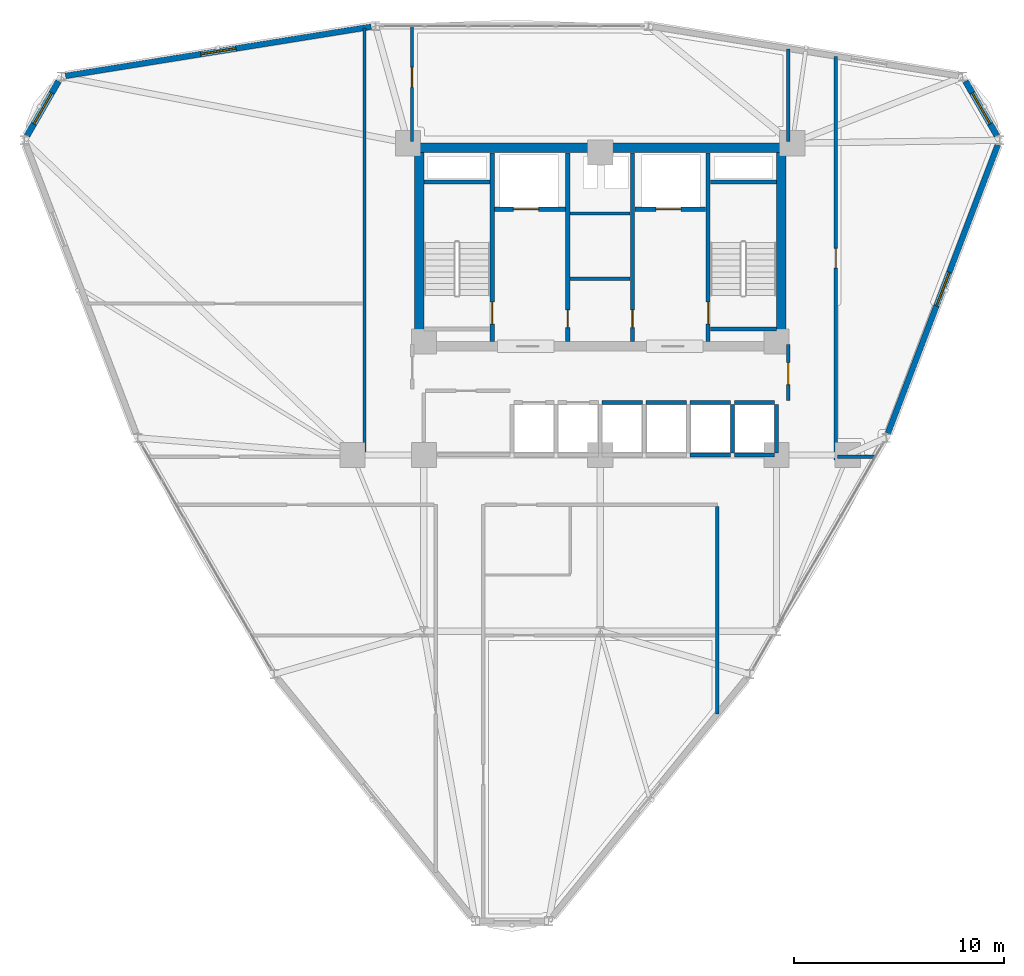
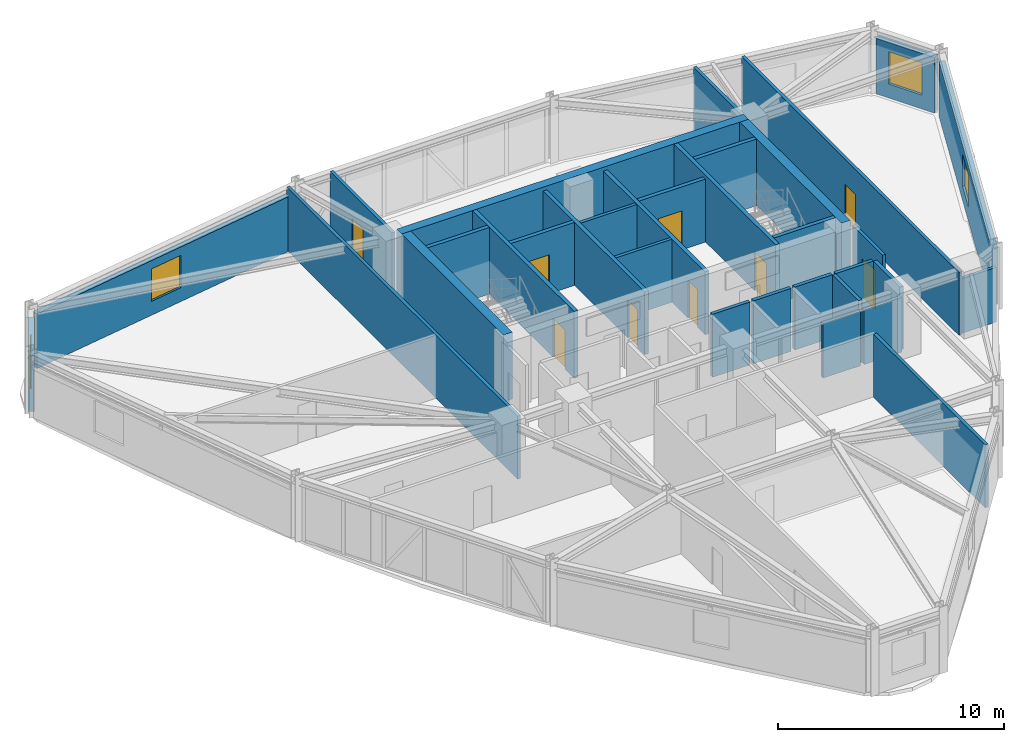
# One storey, part 11 of 15: 33 walls, 9 doors, 4 windows, 13 openings.
"""IFC4 building model written with IfcOpenShell, lengths in metres."""

from ifc_helpers import new_model, si_unit, derived_unit, direction, frame, frame_2d, origin, place, context, subcontext, project, spatial, rectangle, extrude, material, layer, layer_set, type_object, element, fill, save


model = new_model("IFC4")

# Units and contexts
model_context = context("Model", 3, precision=1e-05, world=origin(), true_north=direction((0.0, 1.0)))
body_context = subcontext(model_context, "Body", "Model", "MODEL_VIEW")
ifc_project = project(units=[si_unit("LENGTHUNIT", "METRE"), si_unit("AREAUNIT", "SQUARE_METRE"), si_unit("VOLUMEUNIT", "CUBIC_METRE"), si_unit("PLANEANGLEUNIT", "RADIAN"), si_unit("MASSUNIT", "GRAM", prefix="KILO"), derived_unit("THERMALTRANSMITTANCEUNIT", [(si_unit("POWERUNIT", "WATT"), 1), (si_unit("LENGTHUNIT", "METRE"), -2), (si_unit("THERMODYNAMICTEMPERATUREUNIT", "KELVIN"), -1)])], contexts=[model_context])

# Site, building, storey
site_placement = place(None, origin())
site = spatial("IfcSite", under=ifc_project, at=site_placement, CompositionType="ELEMENT")
building_placement = place(site_placement, origin())
building = spatial("IfcBuilding", under=site, at=building_placement, Name="Korsvarv Bourse and Concert Hall", CompositionType="ELEMENT")
storey_placement = place(building_placement, frame((0.0, 0.0, 150.60009765625)))
storey = spatial("IfcBuildingStorey", under=building, at=storey_placement, Name="L38", CompositionType="ELEMENT", Elevation=150.60009765625)

# Wall, opening, door
ifc_material_1 = material(Name="Concrete C50/60", Category="concrete")
ifc_layer_1 = layer(ifc_material_1, 0.3798828125)
ifc_layer_set_1 = layer_set([ifc_layer_1], Name="Concrete C50/60")
wall_type_1 = type_object("IfcWallType", Name="WL-CORE-380", PredefinedType="SHEAR", material=ifc_layer_set_1)
wall_1_placement = place(storey_placement, frame((30.860107421875, 37.81005859375, 0.0), z_axis=(0.0, 0.0, 1.0), x_axis=(0.0, 1.0, 0.0)))
wall_1 = element("IfcWall", 1, at=wall_1_placement, inside=storey, type_object=wall_type_1, Name="L38 stair shaft structural wall W-L38-ST1-E", PredefinedType="SHEAR", context=body_context, shape_type="SweptSolid", body=[
    extrude(rectangle(XDim=8.97998046875, YDim=0.199951171875, at=frame_2d((4.489990234375, 0.0))), origin(), (0.0, 0.0, 1.0), 3.599853515625),
])
opening_1_placement = place(wall_1_placement, frame((0.820068359375, 0.0, 0.0)))
opening_1 = element("IfcOpeningElement", 2, at=opening_1_placement, cuts=wall_1, Name="Opening D-01", PredefinedType="OPENING", context=body_context, shape_type="SweptSolid", body=[
    extrude(rectangle(XDim=1.050048828125, YDim=2.10009765625, at=frame_2d((0.52490234375, 1.050048828125))), frame((0.0, 0.10986328125, 0.0), z_axis=(0.0, -1.0, 0.0), x_axis=(1.0, 0.0, 0.0)), (0.0, 0.0, 1.0), 0.219970703125),
])
ifc_material_2 = material(Name="Steel S355 fire door", Category="steel")
door_type_1 = type_object("IfcDoorType", Name="DR-FD60", OperationType="NOTDEFINED", PredefinedType="DOOR", material=ifc_material_2)
door_1_placement = place(opening_1_placement, origin())
door_1 = element("IfcDoor", 3, at=door_1_placement, inside=storey, type_object=door_type_1, Name="L38 interior door DR-L38-ST1", OperationType="SINGLE_SWING_LEFT", OverallHeight=2.10009765625, OverallWidth=1.050048828125, PredefinedType="DOOR", context=body_context, shape_type="SweptSolid", body=[
    extrude(rectangle(XDim=1.050048828125, YDim=2.10009765625, at=frame_2d((0.52490234375, 1.050048828125))), frame((0.0, 0.02490234375, 0.0), z_axis=(0.0, -1.0, 0.0), x_axis=(1.0, 0.0, 0.0)), (0.0, 0.0, 1.0), 0.050048828125),
])
fill(opening_1, door_1)

# Wall
wall_2_placement = place(storey_placement, frame((27.610107421875, 45.39990234375, 0.0), z_axis=(0.0, 0.0, 1.0), x_axis=(1.0, 0.0, 0.0)))
element("IfcWall", 4, at=wall_2_placement, inside=storey, type_object=wall_type_1, Name="L38 stair shaft structural wall W-L38-ST1-N", PredefinedType="SHEAR", context=body_context, shape_type="SweptSolid", body=[
    extrude(rectangle(XDim=3.139892578125, YDim=0.199951171875, at=frame_2d((1.56982421875, 0.0))), origin(), (0.0, 0.0, 1.0), 3.599853515625),
])

# Wall, opening, door
wall_3_placement = place(storey_placement, frame((41.139892578125, 37.81005859375, 0.0), z_axis=(0.0, 0.0, 1.0), x_axis=(0.0, 1.0, 0.0)))
wall_3 = element("IfcWall", 5, at=wall_3_placement, inside=storey, type_object=wall_type_1, Name="L38 stair shaft structural wall W-L38-ST2-W", PredefinedType="SHEAR", context=body_context, shape_type="SweptSolid", body=[
    extrude(rectangle(XDim=8.97998046875, YDim=0.199951171875, at=frame_2d((4.489990234375, 0.0))), origin(), (0.0, 0.0, 1.0), 3.599853515625),
])
opening_2_placement = place(wall_3_placement, frame((0.820068359375, 0.0, 0.0)))
opening_2 = element("IfcOpeningElement", 6, at=opening_2_placement, cuts=wall_3, Name="Opening D-01", PredefinedType="OPENING", context=body_context, shape_type="SweptSolid", body=[
    extrude(rectangle(XDim=1.050048828125, YDim=2.10009765625, at=frame_2d((0.52490234375, 1.050048828125))), frame((0.0, 0.10986328125, 0.0), z_axis=(0.0, -1.0, 0.0), x_axis=(1.0, 0.0, 0.0)), (0.0, 0.0, 1.0), 0.219970703125),
])
door_2_placement = place(opening_2_placement, frame((1.050048828125, 0.0, 0.0), z_axis=(0.0, 0.0, 1.0), x_axis=(-1.0, 0.0, 0.0)))
door_2 = element("IfcDoor", 7, at=door_2_placement, inside=storey, type_object=door_type_1, Name="L38 interior door DR-L38-ST2", OperationType="SINGLE_SWING_RIGHT", OverallHeight=2.10009765625, OverallWidth=1.050048828125, PredefinedType="DOOR", context=body_context, shape_type="SweptSolid", body=[
    extrude(rectangle(XDim=1.050048828125, YDim=2.10009765625, at=frame_2d((0.52490234375, 1.050048828125))), frame((0.0, 0.02490234375, 0.0), z_axis=(0.0, -1.0, 0.0), x_axis=(1.0, 0.0, 0.0)), (0.0, 0.0, 1.0), 0.050048828125),
])
fill(opening_2, door_2)

# Walls
for number, where, z_axis, x_axis, name in (
    (8, (41.25, 45.39990234375, 0.0), (0.0, 0.0, 1.0), (1.0, 0.0, 0.0), "L38 stair shaft structural wall W-L38-ST2-N"),
    (9, (41.25, 38.39990234375, 0.0), (0.0, 0.0, 1.0), (1.0, 0.0, 0.0), "L38 stair shaft structural wall W-L38-ST2-S"),
):
    element("IfcWall", number, at=place(storey_placement, frame(where, z_axis=z_axis, x_axis=x_axis)), inside=storey, type_object=wall_type_1, Name=name, PredefinedType="SHEAR", context=body_context, shape_type="SweptSolid", body=[
        extrude(rectangle(XDim=3.139892578125, YDim=0.199951171875, at=frame_2d((1.56982421875, 0.0))), origin(), (0.0, 0.0, 1.0), 3.599853515625),
    ])
ifc_material_3 = material(Name="Concrete C55/67", Category="concrete")
ifc_layer_2 = layer(ifc_material_3, 0.449951171875)
ifc_layer_set_2 = layer_set([ifc_layer_2], Name="Concrete C55/67")
wall_type_2 = type_object("IfcWallType", Name="WL-CORE-450", PredefinedType="SHEAR", material=ifc_layer_set_2)
wall_4_placement = place(storey_placement, frame((27.14990234375, 47.02490234375, 0.0), z_axis=(0.0, 0.0, 1.0), x_axis=(1.0, 0.0, 0.0)))
element("IfcWall", 10, at=wall_4_placement, inside=storey, type_object=wall_type_2, Name="L38 North Core Shear Wall", PredefinedType="SHEAR", context=body_context, shape_type="SweptSolid", body=[
    extrude(rectangle(XDim=17.7001953125, YDim=0.449951171875, at=frame_2d((8.85009765625, 0.0))), origin(), (0.0, 0.0, 1.0), 3.599853515625),
])
for number, where, z_axis, x_axis, name in (
    (11, (27.375, 37.800048828125, 0.0), (0.0, 0.0, 1.0), (0.0, 1.0, 0.0), "L38 West Core Shear Wall"),
    (12, (44.625, 37.800048828125, 0.0), (0.0, 0.0, 1.0), (0.0, 1.0, 0.0), "L38 East Core Shear Wall"),
):
    element("IfcWall", number, at=place(storey_placement, frame(where, z_axis=z_axis, x_axis=x_axis)), inside=storey, type_object=wall_type_2, Name=name, PredefinedType="SHEAR", context=body_context, shape_type="SweptSolid", body=[
        extrude(rectangle(XDim=9.0, YDim=0.449951171875, at=frame_2d((4.5, 0.0))), origin(), (0.0, 0.0, 1.0), 3.599853515625),
    ])

# Wall, opening, window
ifc_material_4 = material(Name="Precast concrete C45/55 with terracotta rainscreen", Category="concrete")
ifc_layer_3 = layer(ifc_material_4, 0.300048828125)
ifc_layer_set_3 = layer_set([ifc_layer_3], Name="Precast concrete C45/55 with terracotta rainscreen")
wall_type_3 = type_object("IfcWallType", Name="WL-EXT-TC1", PredefinedType="SOLIDWALL", material=ifc_layer_set_3)
wall_5_placement = place(storey_placement, frame((54.905517578125, 47.612548828125, 0.0), z_axis=(0.0, 0.0, 1.0), x_axis=(-0.499974392705, 0.866040187658, 0.0)))
wall_5 = element("IfcWall", 13, at=wall_5_placement, inside=storey, type_object=wall_type_3, Name="L38 terracotta exterior wall EW-L38-B01", PredefinedType="SOLIDWALL", context=body_context, shape_type="SweptSolid", body=[
    extrude(rectangle(XDim=2.991943359375, YDim=0.300048828125, at=frame_2d((1.49609375, 0.0))), origin(), (0.0, 0.0, 1.0), 3.0),
])
opening_3_placement = place(wall_5_placement, frame((0.64599609375, 0.0, 0.75)))
opening_3 = element("IfcOpeningElement", 14, at=opening_3_placement, cuts=wall_5, Name="Opening W-01", PredefinedType="OPENING", context=body_context, shape_type="SweptSolid", body=[
    extrude(rectangle(XDim=1.699951171875, YDim=1.75, at=frame_2d((0.85009765625, 0.875))), frame((0.0, 0.16015625, 0.0), z_axis=(0.0, -1.0, 0.0), x_axis=(1.0, 0.0, 0.0)), (0.0, 0.0, 1.0), 0.320068359375),
])
ifc_material_5 = material(Name="Thermally broken aluminium frame with triple low-E glass", Category="glass")
window_type = type_object("IfcWindowType", Name="WIN-TW1", PartitioningType="SINGLE_PANEL", PredefinedType="WINDOW", material=ifc_material_5)
window_1_placement = place(opening_3_placement, origin())
window_1 = element("IfcWindow", 15, at=window_1_placement, inside=storey, type_object=window_type, Name="L38 punched facade window W-01", OverallHeight=1.75, OverallWidth=1.699951171875, PartitioningType="SINGLE_PANEL", PredefinedType="WINDOW", context=body_context, shape_type="SweptSolid", body=[
    extrude(rectangle(XDim=1.699951171875, YDim=1.75, at=frame_2d((0.85009765625, 0.875))), frame((0.0, 0.030029296875, 0.0), z_axis=(0.0, -1.0, 0.0), x_axis=(1.0, 0.0, 0.0)), (0.0, 0.0, 1.0), 0.06005859375),
])
fill(opening_3, window_1)

wall_6_placement = place(storey_placement, frame((10.1904296875, 50.20361328125, 0.0), z_axis=(0.0, 0.0, 1.0), x_axis=(-0.499974392705, -0.866040187658, 0.0)))
wall_6 = element("IfcWall", 16, at=wall_6_placement, inside=storey, type_object=wall_type_3, Name="L38 terracotta exterior wall EW-L38-B05", PredefinedType="SOLIDWALL", context=body_context, shape_type="SweptSolid", body=[
    extrude(rectangle(XDim=2.991943359375, YDim=0.300048828125, at=frame_2d((1.49609375, 0.0))), origin(), (0.0, 0.0, 1.0), 3.0),
])
opening_4_placement = place(wall_6_placement, frame((0.64599609375, 0.0, 0.75)))
opening_4 = element("IfcOpeningElement", 17, at=opening_4_placement, cuts=wall_6, Name="Opening W-01", PredefinedType="OPENING", context=body_context, shape_type="SweptSolid", body=[
    extrude(rectangle(XDim=1.699951171875, YDim=1.75, at=frame_2d((0.85009765625, 0.875))), frame((0.0, 0.16015625, 0.0), z_axis=(0.0, -1.0, 0.0), x_axis=(1.0, 0.0, 0.0)), (0.0, 0.0, 1.0), 0.320068359375),
])
window_2_placement = place(opening_4_placement, origin())
window_2 = element("IfcWindow", 18, at=window_2_placement, inside=storey, type_object=window_type, Name="L38 punched facade window W-01", OverallHeight=1.75, OverallWidth=1.699951171875, PartitioningType="SINGLE_PANEL", PredefinedType="WINDOW", context=body_context, shape_type="SweptSolid", body=[
    extrude(rectangle(XDim=1.699951171875, YDim=1.75, at=frame_2d((0.85009765625, 0.875))), frame((0.0, 0.030029296875, 0.0), z_axis=(0.0, -1.0, 0.0), x_axis=(1.0, 0.0, 0.0)), (0.0, 0.0, 1.0), 0.06005859375),
])
fill(opening_4, window_2)

ifc_material_6 = material(Name="Precast concrete C45/55 with fluted terracotta pier", Category="concrete")
ifc_layer_4 = layer(ifc_material_6, 0.280029296875)
ifc_layer_set_4 = layer_set([ifc_layer_4], Name="Precast concrete C45/55 with fluted terracotta pier")
wall_type_4 = type_object("IfcWallType", Name="WL-EXT-TC2", PredefinedType="SOLIDWALL", material=ifc_layer_set_4)
wall_7_placement = place(storey_placement, frame((25.088134765625, 52.802490234375, 0.0), z_axis=(0.0, 0.0, 1.0), x_axis=(-0.987303259595, -0.158846698404, 0.0)))
wall_7 = element("IfcWall", 19, at=wall_7_placement, inside=storey, type_object=wall_type_4, Name="L38 terracotta exterior wall EW-L38-B04", PredefinedType="SOLIDWALL", context=body_context, shape_type="SweptSolid", body=[
    extrude(rectangle(XDim=14.74560546875, YDim=0.280029296875, at=frame_2d((7.372802734375, 0.0))), origin(), (0.0, 0.0, 1.0), 2.949951171875),
])
opening_5_placement = place(wall_7_placement, frame((6.522705078125, 0.0, 0.75)))
opening_5 = element("IfcOpeningElement", 20, at=opening_5_placement, cuts=wall_7, Name="Opening W-01", PredefinedType="OPENING", context=body_context, shape_type="SweptSolid", body=[
    extrude(rectangle(XDim=1.699951171875, YDim=1.75, at=frame_2d((0.85009765625, 0.875))), frame((0.0, 0.14990234375, 0.0), z_axis=(0.0, -1.0, 0.0), x_axis=(1.0, 0.0, 0.0)), (0.0, 0.0, 1.0), 0.300048828125),
])
window_3_placement = place(opening_5_placement, origin())
window_3 = element("IfcWindow", 21, at=window_3_placement, inside=storey, type_object=window_type, Name="L38 punched facade window W-01", OverallHeight=1.75, OverallWidth=1.699951171875, PartitioningType="SINGLE_PANEL", PredefinedType="WINDOW", context=body_context, shape_type="SweptSolid", body=[
    extrude(rectangle(XDim=1.699951171875, YDim=1.75, at=frame_2d((0.85009765625, 0.875))), frame((0.0, 0.030029296875, 0.0), z_axis=(0.0, -1.0, 0.0), x_axis=(1.0, 0.0, 0.0)), (0.0, 0.0, 1.0), 0.06005859375),
])
fill(opening_5, window_3)

wall_8_placement = place(storey_placement, frame((49.716064453125, 33.43408203125, 0.0), z_axis=(0.0, 0.0, 1.0), x_axis=(0.356077530784, 0.934456415287, 0.0)))
wall_8 = element("IfcWall", 22, at=wall_8_placement, inside=storey, type_object=wall_type_4, Name="L38 terracotta exterior wall EW-L38-B12", PredefinedType="SOLIDWALL", context=body_context, shape_type="SweptSolid", body=[
    extrude(rectangle(XDim=14.69677734375, YDim=0.280029296875, at=frame_2d((7.348388671875, 0.0))), origin(), (0.0, 0.0, 1.0), 3.0),
])
opening_6_placement = place(wall_8_placement, frame((6.498291015625, 0.0, 0.75)))
opening_6 = element("IfcOpeningElement", 23, at=opening_6_placement, cuts=wall_8, Name="Opening W-01", PredefinedType="OPENING", context=body_context, shape_type="SweptSolid", body=[
    extrude(rectangle(XDim=1.699951171875, YDim=1.75, at=frame_2d((0.85009765625, 0.875))), frame((0.0, 0.14990234375, 0.0), z_axis=(0.0, -1.0, 0.0), x_axis=(1.0, 0.0, 0.0)), (0.0, 0.0, 1.0), 0.300048828125),
])
window_4_placement = place(opening_6_placement, origin())
window_4 = element("IfcWindow", 24, at=window_4_placement, inside=storey, type_object=window_type, Name="L38 punched facade window W-01", OverallHeight=1.75, OverallWidth=1.699951171875, PartitioningType="SINGLE_PANEL", PredefinedType="WINDOW", context=body_context, shape_type="SweptSolid", body=[
    extrude(rectangle(XDim=1.699951171875, YDim=1.75, at=frame_2d((0.85009765625, 0.875))), frame((0.0, 0.030029296875, 0.0), z_axis=(0.0, -1.0, 0.0), x_axis=(1.0, 0.0, 0.0)), (0.0, 0.0, 1.0), 0.06005859375),
])
fill(opening_6, window_4)

# Wall, opening, door
ifc_material_7 = material(Name="Reinforced concrete blockwork C35/45 fire wall", Category="concrete")
ifc_layer_5 = layer(ifc_material_7, 0.199951171875)
ifc_layer_set_5 = layer_set([ifc_layer_5], Name="Reinforced concrete blockwork C35/45 fire wall")
wall_type_5 = type_object("IfcWallType", Name="WL-INT-EI120", PredefinedType="PARTITIONING", material=ifc_layer_set_5)
wall_9_placement = place(storey_placement, frame((30.969970703125, 44.10009765625, 0.0), z_axis=(0.0, 0.0, 1.0), x_axis=(1.0, 0.0, 0.0)))
wall_9 = element("IfcWall", 25, at=wall_9_placement, inside=storey, type_object=wall_type_5, Name="L38 interior partition wall W-L38-FF1-S", PredefinedType="PARTITIONING", context=body_context, shape_type="SweptSolid", body=[
    extrude(rectangle(XDim=3.380126953125, YDim=0.199951171875, at=frame_2d((1.68994140625, 0.0))), origin(), (0.0, 0.0, 1.0), 3.39990234375),
])
opening_7_placement = place(wall_9_placement, frame((0.89990234375, 0.0, 0.0)))
opening_7 = element("IfcOpeningElement", 26, at=opening_7_placement, cuts=wall_9, Name="Opening LD-1", PredefinedType="OPENING", context=body_context, shape_type="SweptSolid", body=[
    extrude(rectangle(XDim=1.199951171875, YDim=2.10009765625, at=frame_2d((0.60009765625, 1.050048828125))), frame((0.0, 0.10986328125, 0.0), z_axis=(0.0, -1.0, 0.0), x_axis=(1.0, 0.0, 0.0)), (0.0, 0.0, 1.0), 0.219970703125),
])
ifc_material_8 = material(Name="Stainless Steel S355 firefighting lift landing door", Category="steel")
door_type_2 = type_object("IfcDoorType", Name="DR-LIFT-FF", OperationType="DOUBLE_DOOR_SLIDING", PredefinedType="DOOR", material=ifc_material_8)
door_3_placement = place(opening_7_placement, origin())
door_3 = element("IfcDoor", 27, at=door_3_placement, inside=storey, type_object=door_type_2, Name="L38 lift sliding landing door LD-L38-FF1", OperationType="DOUBLE_DOOR_SLIDING", OverallHeight=2.10009765625, OverallWidth=1.199951171875, PredefinedType="DOOR", context=body_context, shape_type="SweptSolid", body=[
    extrude(rectangle(XDim=1.199951171875, YDim=2.10009765625, at=frame_2d((0.60009765625, 1.050048828125))), frame((0.0, 0.02490234375, 0.0), z_axis=(0.0, -1.0, 0.0), x_axis=(1.0, 0.0, 0.0)), (0.0, 0.0, 1.0), 0.050048828125),
])
fill(opening_7, door_3)

wall_10_placement = place(storey_placement, frame((37.64990234375, 44.10009765625, 0.0), z_axis=(0.0, 0.0, 1.0), x_axis=(1.0, 0.0, 0.0)))
wall_10 = element("IfcWall", 28, at=wall_10_placement, inside=storey, type_object=wall_type_5, Name="L38 interior partition wall W-L38-FF2-S", PredefinedType="PARTITIONING", context=body_context, shape_type="SweptSolid", body=[
    extrude(rectangle(XDim=3.380126953125, YDim=0.199951171875, at=frame_2d((1.68994140625, 0.0))), origin(), (0.0, 0.0, 1.0), 3.39990234375),
])
opening_8_placement = place(wall_10_placement, frame((1.0, 0.0, 0.0)))
opening_8 = element("IfcOpeningElement", 29, at=opening_8_placement, cuts=wall_10, Name="Opening LD-1", PredefinedType="OPENING", context=body_context, shape_type="SweptSolid", body=[
    extrude(rectangle(XDim=1.199951171875, YDim=2.10009765625, at=frame_2d((0.60009765625, 1.050048828125))), frame((0.0, 0.10986328125, 0.0), z_axis=(0.0, -1.0, 0.0), x_axis=(1.0, 0.0, 0.0)), (0.0, 0.0, 1.0), 0.219970703125),
])
door_4_placement = place(opening_8_placement, origin())
door_4 = element("IfcDoor", 30, at=door_4_placement, inside=storey, type_object=door_type_2, Name="L38 lift sliding landing door LD-L38-FF2", OperationType="DOUBLE_DOOR_SLIDING", OverallHeight=2.10009765625, OverallWidth=1.199951171875, PredefinedType="DOOR", context=body_context, shape_type="SweptSolid", body=[
    extrude(rectangle(XDim=1.199951171875, YDim=2.10009765625, at=frame_2d((0.60009765625, 1.050048828125))), frame((0.0, 0.02490234375, 0.0), z_axis=(0.0, -1.0, 0.0), x_axis=(1.0, 0.0, 0.0)), (0.0, 0.0, 1.0), 0.050048828125),
])
fill(opening_8, door_4)

wall_11_placement = place(storey_placement, frame((34.4599609375, 37.81005859375, 0.0), z_axis=(0.0, 0.0, 1.0), x_axis=(0.0, 1.0, 0.0)))
wall_11 = element("IfcWall", 31, at=wall_11_placement, inside=storey, type_object=wall_type_5, Name="L38 interior partition wall W-L38-CSB-W", PredefinedType="PARTITIONING", context=body_context, shape_type="SweptSolid", body=[
    extrude(rectangle(XDim=8.97998046875, YDim=0.199951171875, at=frame_2d((4.489990234375, 0.0))), origin(), (0.0, 0.0, 1.0), 3.39990234375),
])
opening_9_placement = place(wall_11_placement, frame((0.64990234375, 0.0, 0.0)))
opening_9 = element("IfcOpeningElement", 32, at=opening_9_placement, cuts=wall_11, Name="Opening D-05", PredefinedType="OPENING", context=body_context, shape_type="SweptSolid", body=[
    extrude(rectangle(XDim=0.85009765625, YDim=2.050048828125, at=frame_2d((0.425048828125, 1.02490234375))), frame((0.0, 0.10986328125, 0.0), z_axis=(0.0, -1.0, 0.0), x_axis=(1.0, 0.0, 0.0)), (0.0, 0.0, 1.0), 0.219970703125),
])
door_type_3 = type_object("IfcDoorType", Name="DR-FD60-850X2050", OperationType="NOTDEFINED", PredefinedType="DOOR", material=ifc_material_2)
door_5_placement = place(opening_9_placement, frame((0.85009765625, 0.0, 0.0), z_axis=(0.0, 0.0, 1.0), x_axis=(-1.0, 0.0, 0.0)))
door_5 = element("IfcDoor", 33, at=door_5_placement, inside=storey, type_object=door_type_3, Name="L38 interior door DR-L38-CSB1", OperationType="SINGLE_SWING_LEFT", OverallHeight=2.050048828125, OverallWidth=0.85009765625, PredefinedType="DOOR", context=body_context, shape_type="SweptSolid", body=[
    extrude(rectangle(XDim=0.85009765625, YDim=2.050048828125, at=frame_2d((0.425048828125, 1.02490234375))), frame((0.0, 0.02490234375, 0.0), z_axis=(0.0, -1.0, 0.0), x_axis=(1.0, 0.0, 0.0)), (0.0, 0.0, 1.0), 0.050048828125),
])
fill(opening_9, door_5)

wall_12_placement = place(storey_placement, frame((37.5400390625, 37.81005859375, 0.0), z_axis=(0.0, 0.0, 1.0), x_axis=(0.0, 1.0, 0.0)))
wall_12 = element("IfcWall", 34, at=wall_12_placement, inside=storey, type_object=wall_type_5, Name="L38 interior partition wall W-L38-CSB-E", PredefinedType="PARTITIONING", context=body_context, shape_type="SweptSolid", body=[
    extrude(rectangle(XDim=8.97998046875, YDim=0.199951171875, at=frame_2d((4.489990234375, 0.0))), origin(), (0.0, 0.0, 1.0), 3.39990234375),
])
opening_10_placement = place(wall_12_placement, frame((0.64990234375, 0.0, 0.0)))
opening_10 = element("IfcOpeningElement", 35, at=opening_10_placement, cuts=wall_12, Name="Opening D-05", PredefinedType="OPENING", context=body_context, shape_type="SweptSolid", body=[
    extrude(rectangle(XDim=0.85009765625, YDim=2.050048828125, at=frame_2d((0.425048828125, 1.02490234375))), frame((0.0, 0.10986328125, 0.0), z_axis=(0.0, -1.0, 0.0), x_axis=(1.0, 0.0, 0.0)), (0.0, 0.0, 1.0), 0.219970703125),
])
door_6_placement = place(opening_10_placement, origin())
door_6 = element("IfcDoor", 36, at=door_6_placement, inside=storey, type_object=door_type_3, Name="L38 interior door DR-L38-CSB2", OperationType="SINGLE_SWING_RIGHT", OverallHeight=2.050048828125, OverallWidth=0.85009765625, PredefinedType="DOOR", context=body_context, shape_type="SweptSolid", body=[
    extrude(rectangle(XDim=0.85009765625, YDim=2.050048828125, at=frame_2d((0.425048828125, 1.02490234375))), frame((0.0, 0.02490234375, 0.0), z_axis=(0.0, -1.0, 0.0), x_axis=(1.0, 0.0, 0.0)), (0.0, 0.0, 1.0), 0.050048828125),
])
fill(opening_10, door_6)

# Walls
ifc_material_9 = material(Name="Double-stud fire-rated acoustic partition", Category="gypsum")
ifc_layer_6 = layer(ifc_material_9, 0.159912109375)
ifc_layer_set_6 = layer_set([ifc_layer_6], Name="Double-stud fire-rated acoustic partition")
wall_type_6 = type_object("IfcWallType", Name="WL-INT-EI60", PredefinedType="PARTITIONING", material=ifc_layer_set_6)
for number, where, z_axis, x_axis, name in (
    (37, (34.570068359375, 40.800048828125, 0.0), (0.0, 0.0, 1.0), (1.0, 0.0, 0.0), "L38 interior partition wall W-L38-K1"),
    (38, (34.570068359375, 43.89990234375, 0.0), (0.0, 0.0, 1.0), (1.0, 0.0, 0.0), "L38 interior partition wall W-L38-K2"),
):
    element("IfcWall", number, at=place(storey_placement, frame(where, z_axis=z_axis, x_axis=x_axis)), inside=storey, type_object=wall_type_6, Name=name, PredefinedType="PARTITIONING", context=body_context, shape_type="SweptSolid", body=[
        extrude(rectangle(XDim=2.85986328125, YDim=0.159912109375, at=frame_2d((1.429931640625, 0.0))), origin(), (0.0, 0.0, 1.0), 3.39990234375),
    ])

# Wall, opening, door
wall_13_placement = place(storey_placement, frame((44.9599609375, 35.0, 0.0), z_axis=(0.0, 0.0, 1.0), x_axis=(0.0, 1.0, 0.0)))
wall_13 = element("IfcWall", 39, at=wall_13_placement, inside=storey, type_object=wall_type_6, Name="L38 interior partition wall W-L38-LOB-E", PredefinedType="PARTITIONING", context=body_context, shape_type="SweptSolid", body=[
    extrude(rectangle(XDim=2.64990234375, YDim=0.159912109375, at=frame_2d((1.324951171875, 0.0))), origin(), (0.0, 0.0, 1.0), 3.39990234375),
])
opening_11_placement = place(wall_13_placement, frame((0.75, 0.0, 0.0)))
opening_11 = element("IfcOpeningElement", 40, at=opening_11_placement, cuts=wall_13, Name="Opening D-01", PredefinedType="OPENING", context=body_context, shape_type="SweptSolid", body=[
    extrude(rectangle(XDim=1.050048828125, YDim=2.10009765625, at=frame_2d((0.52490234375, 1.050048828125))), frame((0.0, 0.08984375, 0.0), z_axis=(0.0, -1.0, 0.0), x_axis=(1.0, 0.0, 0.0)), (0.0, 0.0, 1.0), 0.179931640625),
])
door_7_placement = place(opening_11_placement, origin())
door_7 = element("IfcDoor", 41, at=door_7_placement, inside=storey, type_object=door_type_1, Name="L38 interior door DR-L38-LOBE", OperationType="SINGLE_SWING_LEFT", OverallHeight=2.10009765625, OverallWidth=1.050048828125, PredefinedType="DOOR", context=body_context, shape_type="SweptSolid", body=[
    extrude(rectangle(XDim=1.050048828125, YDim=2.10009765625, at=frame_2d((0.52490234375, 1.050048828125))), frame((0.0, 0.02490234375, 0.0), z_axis=(0.0, -1.0, 0.0), x_axis=(1.0, 0.0, 0.0)), (0.0, 0.0, 1.0), 0.050048828125),
])
fill(opening_11, door_7)

# Wall
wall_14_placement = place(storey_placement, frame((24.77490234375, 32.31005859375, 0.0), z_axis=(0.0, 0.0, 1.0), x_axis=(0.0, 1.0, 0.0)))
element("IfcWall", 42, at=wall_14_placement, inside=storey, type_object=wall_type_6, Name="L38 interior partition wall W-L38-TCOR-01", PredefinedType="PARTITIONING", context=body_context, shape_type="SweptSolid", body=[
    extrude(rectangle(XDim=20.422119140625, YDim=0.159912109375, at=frame_2d((10.2109375, 0.0))), origin(), (0.0, 0.0, 1.0), 3.39990234375),
])

# Wall, opening, door
wall_15_placement = place(storey_placement, frame((47.22509765625, 32.159912109375, 0.0), z_axis=(0.0, 0.0, 1.0), x_axis=(0.0, 1.0, 0.0)))
wall_15 = element("IfcWall", 43, at=wall_15_placement, inside=storey, type_object=wall_type_6, Name="L38 interior partition wall W-L38-TCOR-03", PredefinedType="PARTITIONING", context=body_context, shape_type="SweptSolid", body=[
    extrude(rectangle(XDim=19.220703125, YDim=0.159912109375, at=frame_2d((9.6103515625, 0.0))), origin(), (0.0, 0.0, 1.0), 3.39990234375),
])
opening_12_placement = place(wall_15_placement, frame((9.13525390625, 0.0, 0.0)))
opening_12 = element("IfcOpeningElement", 44, at=opening_12_placement, cuts=wall_15, Name="Opening D-02", PredefinedType="OPENING", context=body_context, shape_type="SweptSolid", body=[
    extrude(rectangle(XDim=0.949951171875, YDim=2.050048828125, at=frame_2d((0.47509765625, 1.02490234375))), frame((0.0, 0.08984375, 0.0), z_axis=(0.0, -1.0, 0.0), x_axis=(1.0, 0.0, 0.0)), (0.0, 0.0, 1.0), 0.179931640625),
])
ifc_material_10 = material(Name="Timber and steel acoustic fire door", Category="wood")
door_type_4 = type_object("IfcDoorType", Name="DR-FD30", OperationType="NOTDEFINED", PredefinedType="DOOR", material=ifc_material_10)
door_8_placement = place(opening_12_placement, origin())
door_8 = element("IfcDoor", 45, at=door_8_placement, inside=storey, type_object=door_type_4, Name="L38 interior door DR-L38-TCOR-SOM1", OperationType="SINGLE_SWING_LEFT", OverallHeight=2.050048828125, OverallWidth=0.949951171875, PredefinedType="DOOR", context=body_context, shape_type="SweptSolid", body=[
    extrude(rectangle(XDim=0.949951171875, YDim=2.050048828125, at=frame_2d((0.47509765625, 1.02490234375))), frame((0.0, 0.02490234375, 0.0), z_axis=(0.0, -1.0, 0.0), x_axis=(1.0, 0.0, 0.0)), (0.0, 0.0, 1.0), 0.050048828125),
])
fill(opening_12, door_8)

# Wall
wall_16_placement = place(storey_placement, frame((41.574951171875, 20.060791015625, 0.0), z_axis=(0.0, 0.0, 1.0), x_axis=(0.0, 1.0, 0.0)))
element("IfcWall", 46, at=wall_16_placement, inside=storey, type_object=wall_type_6, Name="L38 interior partition wall W-L38-TCOR-08", PredefinedType="PARTITIONING", context=body_context, shape_type="SweptSolid", body=[
    extrude(rectangle(XDim=9.88232421875, YDim=0.159912109375, at=frame_2d((4.941162109375, 0.0))), origin(), (0.0, 0.0, 1.0), 3.39990234375),
])

# Wall, opening, door
wall_17_placement = place(storey_placement, frame((27.034912109375, 47.340087890625, 0.0), z_axis=(0.0, 0.0, 1.0), x_axis=(0.0, 1.0, 0.0)))
wall_17 = element("IfcWall", 47, at=wall_17_placement, inside=storey, type_object=wall_type_6, Name="L38 interior partition wall W-L38-TCOR-09", PredefinedType="PARTITIONING", context=body_context, shape_type="SweptSolid", body=[
    extrude(rectangle(XDim=5.476318359375, YDim=0.159912109375, at=frame_2d((2.73828125, 0.0))), origin(), (0.0, 0.0, 1.0), 3.39990234375),
])
opening_13_placement = place(wall_17_placement, frame((2.570068359375, 0.0, 0.0)))
opening_13 = element("IfcOpeningElement", 48, at=opening_13_placement, cuts=wall_17, Name="Opening D-02", PredefinedType="OPENING", context=body_context, shape_type="SweptSolid", body=[
    extrude(rectangle(XDim=0.949951171875, YDim=2.050048828125, at=frame_2d((0.47509765625, 1.02490234375))), frame((0.0, 0.08984375, 0.0), z_axis=(0.0, -1.0, 0.0), x_axis=(1.0, 0.0, 0.0)), (0.0, 0.0, 1.0), 0.179931640625),
])
door_9_placement = place(opening_13_placement, origin())
door_9 = element("IfcDoor", 49, at=door_9_placement, inside=storey, type_object=door_type_4, Name="L38 interior door DR-L38-TCOR-CIG2", OperationType="SINGLE_SWING_RIGHT", OverallHeight=2.050048828125, OverallWidth=0.949951171875, PredefinedType="DOOR", context=body_context, shape_type="SweptSolid", body=[
    extrude(rectangle(XDim=0.949951171875, YDim=2.050048828125, at=frame_2d((0.47509765625, 1.02490234375))), frame((0.0, 0.02490234375, 0.0), z_axis=(0.0, -1.0, 0.0), x_axis=(1.0, 0.0, 0.0)), (0.0, 0.0, 1.0), 0.050048828125),
])
fill(opening_13, door_9)

# Walls
wall_18_placement = place(storey_placement, frame((44.965087890625, 47.340087890625, 0.0), z_axis=(0.0, 0.0, 1.0), x_axis=(0.0, 1.0, 0.0)))
element("IfcWall", 50, at=wall_18_placement, inside=storey, type_object=wall_type_6, Name="L38 interior partition wall W-L38-TCOR-10", PredefinedType="PARTITIONING", context=body_context, shape_type="SweptSolid", body=[
    extrude(rectangle(XDim=4.404052734375, YDim=0.159912109375, at=frame_2d((2.2021484375, 0.0))), origin(), (0.0, 0.0, 1.0), 3.39990234375),
])
wall_19_placement = place(storey_placement, frame((47.306884765625, 32.31494140625, 0.0), z_axis=(0.0, 0.0, 1.0), x_axis=(1.0, 0.0, 0.0)))
element("IfcWall", 51, at=wall_19_placement, inside=storey, type_object=wall_type_6, Name="L38 interior partition wall W-L38-TCOR-11", PredefinedType="PARTITIONING", context=body_context, shape_type="SweptSolid", body=[
    extrude(rectangle(XDim=1.78662109375, YDim=0.159912109375, at=frame_2d((0.893310546875, 0.0))), origin(), (0.0, 0.0, 1.0), 2.949951171875),
])
ifc_material_11 = material(Name="Gypsum-clad autoclaved concrete shaft wall C30/37", Category="concrete")
ifc_layer_7 = layer(ifc_material_11, 0.179931640625)
ifc_layer_set_7 = layer_set([ifc_layer_7], Name="Gypsum-clad autoclaved concrete shaft wall C30/37")
wall_type_7 = type_object("IfcWallType", Name="WL-INT-EI90", PredefinedType="PARTITIONING", material=ifc_layer_set_7)
wall_20_placement = place(storey_placement, frame((36.090087890625, 34.89990234375, 0.0), z_axis=(0.0, 0.0, 1.0), x_axis=(1.0, 0.0, 0.0)))
element("IfcWall", 52, at=wall_20_placement, inside=storey, type_object=wall_type_7, Name="L38 interior partition wall W-L38-SHFN-PH1", PredefinedType="PARTITIONING", context=body_context, shape_type="SweptSolid", body=[
    extrude(rectangle(XDim=1.919921875, YDim=0.179931640625, at=frame_2d((0.9599609375, 0.0))), origin(), (0.0, 0.0, 1.0), 3.39990234375),
])
wall_21_placement = place(storey_placement, frame((38.18994140625, 34.89990234375, 0.0), z_axis=(0.0, 0.0, 1.0), x_axis=(1.0, 0.0, 0.0)))
element("IfcWall", 53, at=wall_21_placement, inside=storey, type_object=wall_type_7, Name="L38 interior partition wall W-L38-SHFN-PH2", PredefinedType="PARTITIONING", context=body_context, shape_type="SweptSolid", body=[
    extrude(rectangle(XDim=1.920166015625, YDim=0.179931640625, at=frame_2d((0.9599609375, 0.0))), origin(), (0.0, 0.0, 1.0), 3.39990234375),
])
wall_22_placement = place(storey_placement, frame((40.2900390625, 34.89990234375, 0.0), z_axis=(0.0, 0.0, 1.0), x_axis=(1.0, 0.0, 0.0)))
element("IfcWall", 54, at=wall_22_placement, inside=storey, type_object=wall_type_7, Name="L38 interior partition wall W-L38-SHFN-PO1", PredefinedType="PARTITIONING", context=body_context, shape_type="SweptSolid", body=[
    extrude(rectangle(XDim=1.919921875, YDim=0.179931640625, at=frame_2d((0.9599609375, 0.0))), origin(), (0.0, 0.0, 1.0), 3.39990234375),
])
wall_23_placement = place(storey_placement, frame((40.2900390625, 32.39990234375, 0.0), z_axis=(0.0, 0.0, 1.0), x_axis=(1.0, 0.0, 0.0)))
element("IfcWall", 55, at=wall_23_placement, inside=storey, type_object=wall_type_7, Name="L38 interior partition wall W-L38-SHFS-PO1", PredefinedType="PARTITIONING", context=body_context, shape_type="SweptSolid", body=[
    extrude(rectangle(XDim=1.919921875, YDim=0.179931640625, at=frame_2d((0.9599609375, 0.0))), origin(), (0.0, 0.0, 1.0), 2.949951171875),
])
wall_24_placement = place(storey_placement, frame((42.389892578125, 34.89990234375, 0.0), z_axis=(0.0, 0.0, 1.0), x_axis=(1.0, 0.0, 0.0)))
element("IfcWall", 56, at=wall_24_placement, inside=storey, type_object=wall_type_7, Name="L38 interior partition wall W-L38-SHFN-PO2", PredefinedType="PARTITIONING", context=body_context, shape_type="SweptSolid", body=[
    extrude(rectangle(XDim=1.920166015625, YDim=0.179931640625, at=frame_2d((0.9599609375, 0.0))), origin(), (0.0, 0.0, 1.0), 3.39990234375),
])
wall_25_placement = place(storey_placement, frame((42.389892578125, 32.39990234375, 0.0), z_axis=(0.0, 0.0, 1.0), x_axis=(1.0, 0.0, 0.0)))
element("IfcWall", 57, at=wall_25_placement, inside=storey, type_object=wall_type_7, Name="L38 interior partition wall W-L38-SHFS-PO2", PredefinedType="PARTITIONING", context=body_context, shape_type="SweptSolid", body=[
    extrude(rectangle(XDim=1.920166015625, YDim=0.179931640625, at=frame_2d((0.9599609375, 0.0))), origin(), (0.0, 0.0, 1.0), 2.949951171875),
])
for number, where, z_axis, x_axis, name in (
    (58, (42.300048828125, 32.489990234375, 0.0), (0.0, 0.0, 1.0), (0.0, 1.0, 0.0), "L38 interior partition wall W-L38-SHFW-PO2"),
    (59, (44.39990234375, 32.489990234375, 0.0), (0.0, 0.0, 1.0), (0.0, 1.0, 0.0), "L38 interior partition wall W-L38-SHFE-END"),
):
    element("IfcWall", number, at=place(storey_placement, frame(where, z_axis=z_axis, x_axis=x_axis)), inside=storey, type_object=wall_type_7, Name=name, PredefinedType="PARTITIONING", context=body_context, shape_type="SweptSolid", body=[
        extrude(rectangle(XDim=2.320068359375, YDim=0.179931640625, at=frame_2d((1.16015625, 0.0))), origin(), (0.0, 0.0, 1.0), 3.39990234375),
    ])

save(model, "model.ifc")
